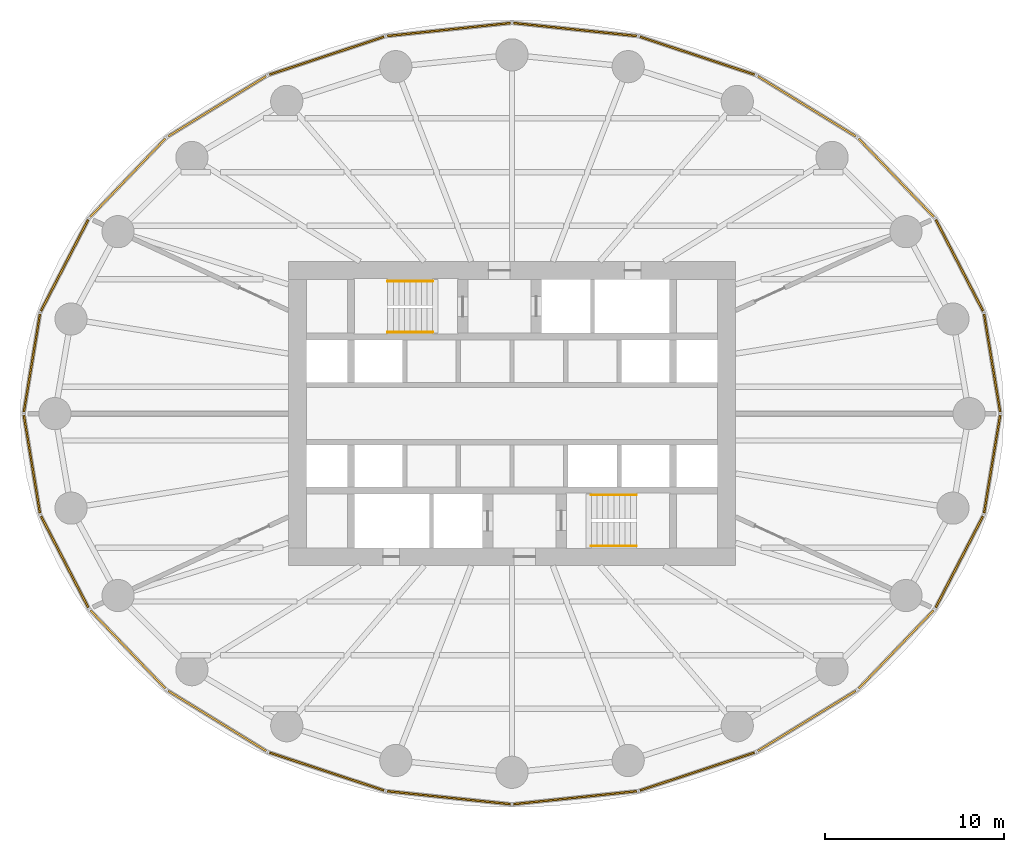
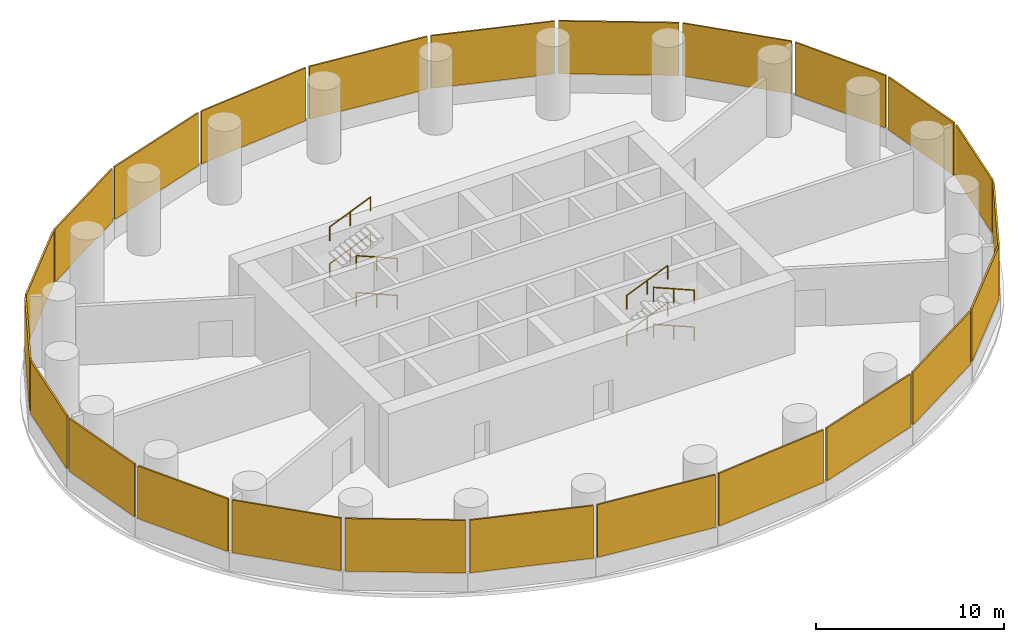
# One storey, part 5 of 5: 24 shading devices, 8 railings.
"""IFC4 building model written with IfcOpenShell, lengths in metres."""

import ifcopenshell
import ifcopenshell.guid

model = None  # the IFC model being written
_history = None  # IfcOwnerHistory: only IFC2X3 demands one
_inside = {}  # id of a spatial element -> (the spatial element, [elements in it])
_under = {}  # id of a project, library or spatial element -> (it, [spatial elements below it])
_declared = {}  # id of a project -> (the project, [libraries it declares])
_typed = {}  # id of a type object -> (the type object, [elements of that type])
_made_of = {}  # id of a material, layer set ... -> (it, [elements and type objects made of it])


def new_model(schema):
    """Start an empty IFC model of exactly this schema.

    Asked for "IFC4X3", IfcOpenShell would pick the latest addendum, in which some entities
    have other attributes; the version numbers below select the first issue.
    IFC2X3 requires an IfcOwnerHistory on every rooted entity: one is made here for all.
    """
    global model, _history
    if schema == "IFC4X3":
        model = ifcopenshell.file(schema_version=(4, 3, 0, 0))
    else:
        model = ifcopenshell.file(schema=schema)
    _inside.clear()
    _under.clear()
    _declared.clear()
    _typed.clear()
    _made_of.clear()
    _history = None
    if model.schema == "IFC2X3":
        org = make("IfcOrganization", Name="unknown")
        user = make(
            "IfcPersonAndOrganization",
            ThePerson=make("IfcPerson", FamilyName="unknown"),
            TheOrganization=org,
        )
        app = make(
            "IfcApplication",
            ApplicationDeveloper=org,
            Version="unknown",
            ApplicationFullName="unknown",
            ApplicationIdentifier="unknown",
        )
        _history = make(
            "IfcOwnerHistory",
            OwningUser=user,
            OwningApplication=app,
            ChangeAction="ADDED",
            CreationDate=0,
        )
    return model


def make(cls, **values):
    """One entity of the class cls with the attributes given. An attribute that is None is left unset."""
    return model.create_entity(
        cls, **{name: value for name, value in values.items() if value is not None}
    )


def rooted(cls, **values):
    """An entity with a GlobalId (a new one), such as an element, a storey or a relation."""
    return make(cls, GlobalId=ifcopenshell.guid.new(), OwnerHistory=_history, **values)


def si_unit(unit_type, name, prefix=None):
    """IfcSIUnit, for example si_unit("LENGTHUNIT", "METRE", prefix="MILLI")."""
    return make("IfcSIUnit", UnitType=unit_type, Prefix=prefix, Name=name)


def assignment(units):
    """IfcUnitAssignment: the units of a project."""
    return None if units is None else make("IfcUnitAssignment", Units=units)


def point(xyz):
    """IfcCartesianPoint."""
    return None if xyz is None else make("IfcCartesianPoint", Coordinates=xyz)


def direction(xyz):
    """IfcDirection."""
    return None if xyz is None else make("IfcDirection", DirectionRatios=xyz)


def frame(location, z_axis=None, x_axis=None):
    """IfcAxis2Placement3D, a coordinate frame: its origin and axes. An axis left out is left unset."""
    return make(
        "IfcAxis2Placement3D",
        Location=point(location),
        Axis=direction(z_axis),
        RefDirection=direction(x_axis),
    )


def frame_2d(location, x_axis=None):
    """IfcAxis2Placement2D, a coordinate frame in the plane: its origin and x axis."""
    return make(
        "IfcAxis2Placement2D", Location=point(location), RefDirection=direction(x_axis)
    )


def origin():
    """The frame at (0, 0, 0) with its axes left unset."""
    return frame((0.0, 0.0, 0.0))


def origin_2d():
    """The frame at (0, 0) in the plane with its x axis left unset."""
    return frame_2d((0.0, 0.0))


def place(relative_to, where):
    """IfcLocalPlacement: puts the frame where relative to a parent placement (None: the world)."""
    return make(
        "IfcLocalPlacement", PlacementRelTo=relative_to, RelativePlacement=where
    )


def context(
    kind, dimensions, precision=None, world=None, true_north=None, identifier=None
):
    """IfcGeometricRepresentationContext, for example the 3D "Model" context."""
    return make(
        "IfcGeometricRepresentationContext",
        ContextIdentifier=identifier,
        ContextType=kind,
        CoordinateSpaceDimension=dimensions,
        Precision=precision,
        WorldCoordinateSystem=world,
        TrueNorth=true_north,
    )


def subcontext(parent, identifier, kind, view, scale=None):
    """IfcGeometricRepresentationSubContext, for example "Body" below "Model"."""
    return make(
        "IfcGeometricRepresentationSubContext",
        ContextIdentifier=identifier,
        ContextType=kind,
        ParentContext=parent,
        TargetScale=scale,
        TargetView=view,
    )


def project(units=None, contexts=None):
    """IfcProject with its units and contexts."""
    return rooted(
        "IfcProject",
        Name="project",
        RepresentationContexts=contexts,
        UnitsInContext=assignment(units),
    )


def spatial(cls, under=None, at=None, **own):
    """A site, building, storey or space (cls), placed at a placement, below another one or the project."""
    s = rooted(cls, ObjectPlacement=at, **own)
    if under is not None:
        _under.setdefault(under.id(), (under, []))[1].append(s)
    return s


def profile(cls, at=None, kind="AREA", **sizes):
    """A parametric profile (cls). Its sizes go by their IFC names, for example OverallWidth=200.0."""
    return make(cls, ProfileType=kind, Position=at, **sizes)


def rectangle(**sizes):
    """IfcRectangleProfileDef."""
    return profile("IfcRectangleProfileDef", **sizes)


def circle(**sizes):
    """IfcCircleProfileDef."""
    return profile("IfcCircleProfileDef", **sizes)


def extrude(swept, where, along, depth):
    """IfcExtrudedAreaSolid: the profile swept, set in the frame where, extruded along a direction by depth."""
    return make(
        "IfcExtrudedAreaSolid",
        SweptArea=swept,
        Position=where,
        ExtrudedDirection=direction(along),
        Depth=depth,
    )


def shape(context_of_items, identifier, shape_type, items):
    """IfcShapeRepresentation: the items that make up one representation, for example the "Body"."""
    return make(
        "IfcShapeRepresentation",
        ContextOfItems=context_of_items,
        RepresentationIdentifier=identifier,
        RepresentationType=shape_type,
        Items=items,
    )


def material(Name=None, Category=None):
    """IfcMaterial."""
    return make("IfcMaterial", Name=Name, Category=Category)


def layer(
    of_material, thickness, ventilated=None, Name=None, Category=None, Priority=None
):
    """IfcMaterialLayer: one layer of a wall or slab, of a material (None: an air gap)."""
    return make(
        "IfcMaterialLayer",
        Material=of_material,
        LayerThickness=thickness,
        IsVentilated=ventilated,
        Name=Name,
        Category=Category,
        Priority=Priority,
    )


def layer_set(layers, Name=None):
    """IfcMaterialLayerSet."""
    return make("IfcMaterialLayerSet", MaterialLayers=layers, LayerSetName=Name)


def made_of(thing, what):
    """Note that an element or type object is made of a material, layer set ...; save() writes the relation."""
    if what is not None:
        _made_of.setdefault(what.id(), (what, []))[1].append(thing)
    return thing


def type_object(cls, material=None, **own):
    """A type object (cls), such as IfcWallType, which elements share."""
    return made_of(rooted(cls, **own), material)


def element(
    cls,
    number,
    at=None,
    inside=None,
    cuts=None,
    type_object=None,
    material=None,
    context=None,
    identifier="Body",
    shape_type=None,
    held_by="IfcProductDefinitionShape",
    body=None,
    shapes=None,
    **own,
):
    """One element of the class cls, such as IfcWall. Its Tag is "e" and its number.

    at: its placement. inside: the storey or other place that contains it. cuts: it is an
    opening in that element (IfcRelVoidsElement). A single representation is given by context,
    identifier, shape_type and body (its items); several are given by shapes. held_by: the class
    of the entity that holds the representations. save() writes the other relations.
    """
    e = rooted(cls, Tag="e%d" % number, ObjectPlacement=at, **own)
    if body is not None:
        shapes = [shape(context, identifier, shape_type, body)]
    if shapes is not None:
        e.Representation = make(held_by, Representations=shapes)
    if inside is not None:
        _inside.setdefault(inside.id(), (inside, []))[1].append(e)
    if cuts is not None:
        rooted(
            "IfcRelVoidsElement", RelatingBuildingElement=cuts, RelatedOpeningElement=e
        )
    if type_object is not None:
        _typed.setdefault(type_object.id(), (type_object, []))[1].append(e)
    return made_of(e, material)


def aggregate(whole, parts):
    """IfcRelAggregates: a whole, such as a stair, and the parts it consists of."""
    return rooted("IfcRelAggregates", RelatingObject=whole, RelatedObjects=parts)


def save(model, path):
    """Write the relations noted so far, then the file.

    IfcRelAggregates (storeys below a building ...), IfcRelContainedInSpatialStructure (elements
    in a storey), IfcRelDefinesByType, IfcRelAssociatesMaterial and IfcRelDeclares: one each for
    every whole, place, type object, material and project.
    """
    for whole, parts in _under.values():
        aggregate(whole, parts)
    for where, things in _inside.values():
        rooted(
            "IfcRelContainedInSpatialStructure",
            RelatedElements=things,
            RelatingStructure=where,
        )
    for kind, things in _typed.values():
        rooted("IfcRelDefinesByType", RelatedObjects=things, RelatingType=kind)
    for what, things in _made_of.values():
        rooted("IfcRelAssociatesMaterial", RelatedObjects=things, RelatingMaterial=what)
    for by, libraries in _declared.values():
        rooted("IfcRelDeclares", RelatingContext=by, RelatedDefinitions=libraries)
    model.write(path)


model = new_model("IFC4")

# Units and contexts
model_context = context("Model", 3, precision=1e-05, world=origin(), true_north=direction((0.0, 1.0)))
body_context = subcontext(model_context, "Body", "Model", "MODEL_VIEW")
ifc_project = project(units=[si_unit("LENGTHUNIT", "METRE"), si_unit("AREAUNIT", "SQUARE_METRE"), si_unit("VOLUMEUNIT", "CUBIC_METRE"), si_unit("PLANEANGLEUNIT", "RADIAN"), si_unit("MASSUNIT", "GRAM", prefix="KILO")], contexts=[model_context])

# Site, building, storey
site_placement = place(None, origin())
site = spatial("IfcSite", under=ifc_project, at=site_placement, CompositionType="ELEMENT")
building_placement = place(site_placement, origin())
building = spatial("IfcBuilding", under=site, at=building_placement, Name="Hankou Lantern Tower", CompositionType="ELEMENT")
storey_placement = place(building_placement, frame((0.0, 0.0, 45.89990234375)))
storey = spatial("IfcBuildingStorey", under=building, at=storey_placement, Name="L10", CompositionType="ELEMENT", Elevation=45.89990234375)

# Railings
ifc_material_1 = material(Name="Steel handrail", Category="steel")
railing_type = type_object("IfcRailingType", Name="HR1 STAIR HANDRAIL", PredefinedType="HANDRAIL", material=ifc_material_1)
railing_1_placement = place(storey_placement, frame((-4.429931640625, 4.550048828125, 0.900146484375)))
element("IfcRailing", 1, at=railing_1_placement, inside=storey, type_object=railing_type, Name="Handrail stair STA L10 flight 1", PredefinedType="HANDRAIL", context=body_context, shape_type="SweptSolid", body=[
    extrude(circle(Radius=0.02392578125, at=origin_2d()), frame((0.0, 0.0, 0.8759765625), z_axis=(-0.920903207994, 0.0, 0.389791330723), x_axis=(0.0, -1.0, 0.0)), (0.0, 0.0, 1.0), 2.736572265625),
    extrude(circle(Radius=0.02099609375, at=origin_2d()), origin(), (0.0, 0.0, 1.0), 0.851806640625),
    extrude(circle(Radius=0.02099609375, at=origin_2d()), frame((-1.260009765625, 0.0, 0.533203125)), (0.0, 0.0, 1.0), 0.851806640625),
    extrude(circle(Radius=0.02099609375, at=origin_2d()), frame((-2.52001953125, 0.0, 1.066650390625)), (0.0, 0.0, 1.0), 0.851806640625),
])
railing_2_placement = place(storey_placement, frame((-6.949951171875, 7.39990234375, 2.10009765625)))
element("IfcRailing", 2, at=railing_2_placement, inside=storey, type_object=railing_type, Name="Handrail stair STA L10 flight 2", PredefinedType="HANDRAIL", context=body_context, shape_type="SweptSolid", body=[
    extrude(circle(Radius=0.02392578125, at=origin_2d()), frame((0.0, 0.0, 0.8759765625), z_axis=(0.920903207994, 0.0, 0.389791330723), x_axis=(0.0, 1.0, 0.0)), (0.0, 0.0, 1.0), 2.736572265625),
    extrude(circle(Radius=0.02099609375, at=origin_2d()), origin(), (0.0, 0.0, 1.0), 0.851806640625),
    extrude(circle(Radius=0.02099609375, at=origin_2d()), frame((1.260009765625, 0.0, 0.533203125)), (0.0, 0.0, 1.0), 0.851806640625),
    extrude(circle(Radius=0.02099609375, at=origin_2d()), frame((2.52001953125, 0.0, 1.066650390625)), (0.0, 0.0, 1.0), 0.851806640625),
])
railing_3_placement = place(storey_placement, frame((-4.429931640625, 4.550048828125, 3.300048828125)))
element("IfcRailing", 3, at=railing_3_placement, inside=storey, type_object=railing_type, Name="Handrail stair STA L10 flight 3", PredefinedType="HANDRAIL", context=body_context, shape_type="SweptSolid", body=[
    extrude(circle(Radius=0.02392578125, at=origin_2d()), frame((0.0, 0.0, 0.8759765625), z_axis=(-0.920903207994, 0.0, 0.389791330723), x_axis=(0.0, -1.0, 0.0)), (0.0, 0.0, 1.0), 2.736572265625),
    extrude(circle(Radius=0.02099609375, at=origin_2d()), origin(), (0.0, 0.0, 1.0), 0.851806640625),
    extrude(circle(Radius=0.02099609375, at=origin_2d()), frame((-1.260009765625, 0.0, 0.533203125)), (0.0, 0.0, 1.0), 0.851806640625),
    extrude(circle(Radius=0.02099609375, at=origin_2d()), frame((-2.52001953125, 0.0, 1.066650390625)), (0.0, 0.0, 1.0), 0.851806640625),
])
for number, where, name in (
    (4, (-6.949951171875, 7.39990234375, 4.5), "Handrail stair STA L10 flight 4"),
    (5, (4.429931640625, -4.550048828125, 0.900146484375), "Handrail stair STB L10 flight 1"),
):
    element("IfcRailing", number, at=place(storey_placement, frame(where)), inside=storey, type_object=railing_type, Name=name, PredefinedType="HANDRAIL", context=body_context, shape_type="SweptSolid", body=[
        extrude(circle(Radius=0.02392578125, at=origin_2d()), frame((0.0, 0.0, 0.8759765625), z_axis=(0.920903207994, 0.0, 0.389791330723), x_axis=(0.0, 1.0, 0.0)), (0.0, 0.0, 1.0), 2.736572265625),
        extrude(circle(Radius=0.02099609375, at=origin_2d()), origin(), (0.0, 0.0, 1.0), 0.851806640625),
        extrude(circle(Radius=0.02099609375, at=origin_2d()), frame((1.260009765625, 0.0, 0.533203125)), (0.0, 0.0, 1.0), 0.851806640625),
        extrude(circle(Radius=0.02099609375, at=origin_2d()), frame((2.52001953125, 0.0, 1.066650390625)), (0.0, 0.0, 1.0), 0.851806640625),
    ])
railing_4_placement = place(storey_placement, frame((6.949951171875, -7.39990234375, 2.10009765625)))
element("IfcRailing", 6, at=railing_4_placement, inside=storey, type_object=railing_type, Name="Handrail stair STB L10 flight 2", PredefinedType="HANDRAIL", context=body_context, shape_type="SweptSolid", body=[
    extrude(circle(Radius=0.02392578125, at=origin_2d()), frame((0.0, 0.0, 0.8759765625), z_axis=(-0.920903207994, 0.0, 0.389791330723), x_axis=(0.0, -1.0, 0.0)), (0.0, 0.0, 1.0), 2.736572265625),
    extrude(circle(Radius=0.02099609375, at=origin_2d()), origin(), (0.0, 0.0, 1.0), 0.851806640625),
    extrude(circle(Radius=0.02099609375, at=origin_2d()), frame((-1.260009765625, 0.0, 0.533203125)), (0.0, 0.0, 1.0), 0.851806640625),
    extrude(circle(Radius=0.02099609375, at=origin_2d()), frame((-2.52001953125, 0.0, 1.066650390625)), (0.0, 0.0, 1.0), 0.851806640625),
])
railing_5_placement = place(storey_placement, frame((4.429931640625, -4.550048828125, 3.300048828125)))
element("IfcRailing", 7, at=railing_5_placement, inside=storey, type_object=railing_type, Name="Handrail stair STB L10 flight 3", PredefinedType="HANDRAIL", context=body_context, shape_type="SweptSolid", body=[
    extrude(circle(Radius=0.02392578125, at=origin_2d()), frame((0.0, 0.0, 0.8759765625), z_axis=(0.920903207994, 0.0, 0.389791330723), x_axis=(0.0, 1.0, 0.0)), (0.0, 0.0, 1.0), 2.736572265625),
    extrude(circle(Radius=0.02099609375, at=origin_2d()), origin(), (0.0, 0.0, 1.0), 0.851806640625),
    extrude(circle(Radius=0.02099609375, at=origin_2d()), frame((1.260009765625, 0.0, 0.533203125)), (0.0, 0.0, 1.0), 0.851806640625),
    extrude(circle(Radius=0.02099609375, at=origin_2d()), frame((2.52001953125, 0.0, 1.066650390625)), (0.0, 0.0, 1.0), 0.851806640625),
])
railing_6_placement = place(storey_placement, frame((6.949951171875, -7.39990234375, 4.5)))
element("IfcRailing", 8, at=railing_6_placement, inside=storey, type_object=railing_type, Name="Handrail stair STB L10 flight 4", PredefinedType="HANDRAIL", context=body_context, shape_type="SweptSolid", body=[
    extrude(circle(Radius=0.02392578125, at=origin_2d()), frame((0.0, 0.0, 0.8759765625), z_axis=(-0.920903207994, 0.0, 0.389791330723), x_axis=(0.0, -1.0, 0.0)), (0.0, 0.0, 1.0), 2.736572265625),
    extrude(circle(Radius=0.02099609375, at=origin_2d()), origin(), (0.0, 0.0, 1.0), 0.851806640625),
    extrude(circle(Radius=0.02099609375, at=origin_2d()), frame((-1.260009765625, 0.0, 0.533203125)), (0.0, 0.0, 1.0), 0.851806640625),
    extrude(circle(Radius=0.02099609375, at=origin_2d()), frame((-2.52001953125, 0.0, 1.066650390625)), (0.0, 0.0, 1.0), 0.851806640625),
])

# Shading devices
ifc_material_2 = material(Name="Aluminium, black anodised", Category="aluminium")
ifc_layer = layer(ifc_material_2, 0.10009765625)
ifc_layer_set = layer_set([ifc_layer], Name="Aluminium, black anodised")
shading_device_type = type_object("IfcShadingDeviceType", Name="LV1 LOUVRE PANEL", PredefinedType="USERDEFINED", material=ifc_layer_set)
shading_device_1_placement = place(storey_placement, frame((26.8349609375, 2.826416015625, 1.2001953125), z_axis=(0.0, 0.0, 1.0), x_axis=(-0.162381515188, 0.986728049427, 0.0)))
element("IfcShadingDevice", 9, at=shading_device_1_placement, inside=storey, type_object=shading_device_type, Name="Louvre R01 L10", ObjectType="LOUVRE", PredefinedType="USERDEFINED", context=body_context, shape_type="SweptSolid", body=[
    extrude(rectangle(XDim=5.5185546875, YDim=0.10009765625, at=origin_2d()), origin(), (0.0, 0.0, 1.0), 3.419921875),
])
shading_device_2_placement = place(storey_placement, frame((25.006103515625, 8.286376953125, 1.2001953125), z_axis=(0.0, 0.0, 1.0), x_axis=(-0.459791091957, 0.888027112062, 0.0)))
element("IfcShadingDevice", 10, at=shading_device_2_placement, inside=storey, type_object=shading_device_type, Name="Louvre R02 L10", ObjectType="LOUVRE", PredefinedType="USERDEFINED", context=body_context, shape_type="SweptSolid", body=[
    extrude(rectangle(XDim=5.7216796875, YDim=0.10009765625, at=origin_2d()), origin(), (0.0, 0.0, 1.0), 3.419921875),
])
shading_device_3_placement = place(storey_placement, frame((21.47314453125, 13.181640625, 1.2001953125), z_axis=(0.0, 0.0, 1.0), x_axis=(-0.692215809936, 0.721690565599, 0.0)))
element("IfcShadingDevice", 11, at=shading_device_3_placement, inside=storey, type_object=shading_device_type, Name="Louvre R03 L10", ObjectType="LOUVRE", PredefinedType="USERDEFINED", context=body_context, shape_type="SweptSolid", body=[
    extrude(rectangle(XDim=6.0576171875, YDim=0.10009765625, at=origin_2d()), origin(), (0.0, 0.0, 1.0), 3.419921875),
])
shading_device_4_placement = place(storey_placement, frame((16.47705078125, 17.1787109375, 1.2001953125), z_axis=(0.0, 0.0, 1.0), x_axis=(-0.852237151549, 0.523155653242, 0.0)))
element("IfcShadingDevice", 12, at=shading_device_4_placement, inside=storey, type_object=shading_device_type, Name="Louvre R04 L10", ObjectType="LOUVRE", PredefinedType="USERDEFINED", context=body_context, shape_type="SweptSolid", body=[
    extrude(rectangle(XDim=6.42431640625, YDim=0.10009765625, at=origin_2d()), origin(), (0.0, 0.0, 1.0), 3.419921875),
])
shading_device_5_placement = place(storey_placement, frame((10.35791015625, 20.0048828125, 1.2001953125), z_axis=(0.0, 0.0, 1.0), x_axis=(-0.949240677293, 0.31455068999, 0.0)))
element("IfcShadingDevice", 13, at=shading_device_5_placement, inside=storey, type_object=shading_device_type, Name="Louvre R05 L10", ObjectType="LOUVRE", PredefinedType="USERDEFINED", context=body_context, shape_type="SweptSolid", body=[
    extrude(rectangle(XDim=6.726318359375, YDim=0.10009765625, at=origin_2d()), origin(), (0.0, 0.0, 1.0), 3.419921875),
])
for number, where, z_axis, x_axis, name in (
    (14, (3.532958984375, 21.468017578125, 1.2001953125), (0.0, 0.0, 1.0), (-0.994499359107, 0.104742659579, 0.0), "Louvre R06 L10"),
    (15, (-3.532958984375, 21.468017578125, 1.2001953125), (0.0, 0.0, 1.0), (-0.994499359107, -0.104742659579, 0.0), "Louvre R07 L10"),
):
    element("IfcShadingDevice", number, at=place(storey_placement, frame(where, z_axis=z_axis, x_axis=x_axis)), inside=storey, type_object=shading_device_type, Name=name, ObjectType="LOUVRE", PredefinedType="USERDEFINED", context=body_context, shape_type="SweptSolid", body=[
        extrude(rectangle(XDim=6.894775390625, YDim=0.10009765625, at=origin_2d()), origin(), (0.0, 0.0, 1.0), 3.419921875),
    ])
shading_device_6_placement = place(storey_placement, frame((-10.35791015625, 20.0048828125, 1.2001953125), z_axis=(0.0, 0.0, 1.0), x_axis=(-0.949240677293, -0.31455068999, 0.0)))
element("IfcShadingDevice", 16, at=shading_device_6_placement, inside=storey, type_object=shading_device_type, Name="Louvre R08 L10", ObjectType="LOUVRE", PredefinedType="USERDEFINED", context=body_context, shape_type="SweptSolid", body=[
    extrude(rectangle(XDim=6.726318359375, YDim=0.10009765625, at=origin_2d()), origin(), (0.0, 0.0, 1.0), 3.419921875),
])
shading_device_7_placement = place(storey_placement, frame((-16.47705078125, 17.1787109375, 1.2001953125), z_axis=(0.0, 0.0, 1.0), x_axis=(-0.852237151549, -0.523155653242, 0.0)))
element("IfcShadingDevice", 17, at=shading_device_7_placement, inside=storey, type_object=shading_device_type, Name="Louvre R09 L10", ObjectType="LOUVRE", PredefinedType="USERDEFINED", context=body_context, shape_type="SweptSolid", body=[
    extrude(rectangle(XDim=6.42431640625, YDim=0.10009765625, at=origin_2d()), origin(), (0.0, 0.0, 1.0), 3.419921875),
])
shading_device_8_placement = place(storey_placement, frame((-21.47314453125, 13.181640625, 1.2001953125), z_axis=(0.0, 0.0, 1.0), x_axis=(-0.692215809936, -0.721690565599, 0.0)))
element("IfcShadingDevice", 18, at=shading_device_8_placement, inside=storey, type_object=shading_device_type, Name="Louvre R10 L10", ObjectType="LOUVRE", PredefinedType="USERDEFINED", context=body_context, shape_type="SweptSolid", body=[
    extrude(rectangle(XDim=6.0576171875, YDim=0.10009765625, at=origin_2d()), origin(), (0.0, 0.0, 1.0), 3.419921875),
])
shading_device_9_placement = place(storey_placement, frame((-25.006103515625, 8.286376953125, 1.2001953125), z_axis=(0.0, 0.0, 1.0), x_axis=(-0.459791091957, -0.888027112062, 0.0)))
element("IfcShadingDevice", 19, at=shading_device_9_placement, inside=storey, type_object=shading_device_type, Name="Louvre R11 L10", ObjectType="LOUVRE", PredefinedType="USERDEFINED", context=body_context, shape_type="SweptSolid", body=[
    extrude(rectangle(XDim=5.7216796875, YDim=0.10009765625, at=origin_2d()), origin(), (0.0, 0.0, 1.0), 3.419921875),
])
for number, where, z_axis, x_axis, name in (
    (20, (-26.8349609375, 2.826416015625, 1.2001953125), (0.0, 0.0, 1.0), (-0.162381515188, -0.986728049427, 0.0), "Louvre R12 L10"),
    (21, (-26.8349609375, -2.826416015625, 1.2001953125), (0.0, 0.0, 1.0), (0.162381515188, -0.986728049427, 0.0), "Louvre R13 L10"),
):
    element("IfcShadingDevice", number, at=place(storey_placement, frame(where, z_axis=z_axis, x_axis=x_axis)), inside=storey, type_object=shading_device_type, Name=name, ObjectType="LOUVRE", PredefinedType="USERDEFINED", context=body_context, shape_type="SweptSolid", body=[
        extrude(rectangle(XDim=5.5185546875, YDim=0.10009765625, at=origin_2d()), origin(), (0.0, 0.0, 1.0), 3.419921875),
    ])
shading_device_10_placement = place(storey_placement, frame((-25.006103515625, -8.286376953125, 1.2001953125), z_axis=(0.0, 0.0, 1.0), x_axis=(0.459791091957, -0.888027112062, 0.0)))
element("IfcShadingDevice", 22, at=shading_device_10_placement, inside=storey, type_object=shading_device_type, Name="Louvre R14 L10", ObjectType="LOUVRE", PredefinedType="USERDEFINED", context=body_context, shape_type="SweptSolid", body=[
    extrude(rectangle(XDim=5.7216796875, YDim=0.10009765625, at=origin_2d()), origin(), (0.0, 0.0, 1.0), 3.419921875),
])
shading_device_11_placement = place(storey_placement, frame((-21.47314453125, -13.181640625, 1.2001953125), z_axis=(0.0, 0.0, 1.0), x_axis=(0.692215809936, -0.721690565599, 0.0)))
element("IfcShadingDevice", 23, at=shading_device_11_placement, inside=storey, type_object=shading_device_type, Name="Louvre R15 L10", ObjectType="LOUVRE", PredefinedType="USERDEFINED", context=body_context, shape_type="SweptSolid", body=[
    extrude(rectangle(XDim=6.0576171875, YDim=0.10009765625, at=origin_2d()), origin(), (0.0, 0.0, 1.0), 3.419921875),
])
shading_device_12_placement = place(storey_placement, frame((-16.47705078125, -17.1787109375, 1.2001953125), z_axis=(0.0, 0.0, 1.0), x_axis=(0.852237151549, -0.523155653242, 0.0)))
element("IfcShadingDevice", 24, at=shading_device_12_placement, inside=storey, type_object=shading_device_type, Name="Louvre R16 L10", ObjectType="LOUVRE", PredefinedType="USERDEFINED", context=body_context, shape_type="SweptSolid", body=[
    extrude(rectangle(XDim=6.42431640625, YDim=0.10009765625, at=origin_2d()), origin(), (0.0, 0.0, 1.0), 3.419921875),
])
shading_device_13_placement = place(storey_placement, frame((-10.35791015625, -20.0048828125, 1.2001953125), z_axis=(0.0, 0.0, 1.0), x_axis=(0.949240677293, -0.31455068999, 0.0)))
element("IfcShadingDevice", 25, at=shading_device_13_placement, inside=storey, type_object=shading_device_type, Name="Louvre R17 L10", ObjectType="LOUVRE", PredefinedType="USERDEFINED", context=body_context, shape_type="SweptSolid", body=[
    extrude(rectangle(XDim=6.726318359375, YDim=0.10009765625, at=origin_2d()), origin(), (0.0, 0.0, 1.0), 3.419921875),
])
for number, where, z_axis, x_axis, name in (
    (26, (-3.532958984375, -21.468017578125, 1.2001953125), (0.0, 0.0, 1.0), (0.994499359107, -0.104742659579, 0.0), "Louvre R18 L10"),
    (27, (3.532958984375, -21.468017578125, 1.2001953125), (0.0, 0.0, 1.0), (0.994499359107, 0.104742659579, 0.0), "Louvre R19 L10"),
):
    element("IfcShadingDevice", number, at=place(storey_placement, frame(where, z_axis=z_axis, x_axis=x_axis)), inside=storey, type_object=shading_device_type, Name=name, ObjectType="LOUVRE", PredefinedType="USERDEFINED", context=body_context, shape_type="SweptSolid", body=[
        extrude(rectangle(XDim=6.894775390625, YDim=0.10009765625, at=origin_2d()), origin(), (0.0, 0.0, 1.0), 3.419921875),
    ])
shading_device_14_placement = place(storey_placement, frame((10.35791015625, -20.0048828125, 1.2001953125), z_axis=(0.0, 0.0, 1.0), x_axis=(0.949240677293, 0.31455068999, 0.0)))
element("IfcShadingDevice", 28, at=shading_device_14_placement, inside=storey, type_object=shading_device_type, Name="Louvre R20 L10", ObjectType="LOUVRE", PredefinedType="USERDEFINED", context=body_context, shape_type="SweptSolid", body=[
    extrude(rectangle(XDim=6.726318359375, YDim=0.10009765625, at=origin_2d()), origin(), (0.0, 0.0, 1.0), 3.419921875),
])
shading_device_15_placement = place(storey_placement, frame((16.47705078125, -17.1787109375, 1.2001953125), z_axis=(0.0, 0.0, 1.0), x_axis=(0.852237151549, 0.523155653242, 0.0)))
element("IfcShadingDevice", 29, at=shading_device_15_placement, inside=storey, type_object=shading_device_type, Name="Louvre R21 L10", ObjectType="LOUVRE", PredefinedType="USERDEFINED", context=body_context, shape_type="SweptSolid", body=[
    extrude(rectangle(XDim=6.42431640625, YDim=0.10009765625, at=origin_2d()), origin(), (0.0, 0.0, 1.0), 3.419921875),
])
shading_device_16_placement = place(storey_placement, frame((21.47314453125, -13.181640625, 1.2001953125), z_axis=(0.0, 0.0, 1.0), x_axis=(0.692215809936, 0.721690565599, 0.0)))
element("IfcShadingDevice", 30, at=shading_device_16_placement, inside=storey, type_object=shading_device_type, Name="Louvre R22 L10", ObjectType="LOUVRE", PredefinedType="USERDEFINED", context=body_context, shape_type="SweptSolid", body=[
    extrude(rectangle(XDim=6.0576171875, YDim=0.10009765625, at=origin_2d()), origin(), (0.0, 0.0, 1.0), 3.419921875),
])
shading_device_17_placement = place(storey_placement, frame((25.006103515625, -8.286376953125, 1.2001953125), z_axis=(0.0, 0.0, 1.0), x_axis=(0.459791091957, 0.888027112062, 0.0)))
element("IfcShadingDevice", 31, at=shading_device_17_placement, inside=storey, type_object=shading_device_type, Name="Louvre R23 L10", ObjectType="LOUVRE", PredefinedType="USERDEFINED", context=body_context, shape_type="SweptSolid", body=[
    extrude(rectangle(XDim=5.7216796875, YDim=0.10009765625, at=origin_2d()), origin(), (0.0, 0.0, 1.0), 3.419921875),
])
shading_device_18_placement = place(storey_placement, frame((26.8349609375, -2.826416015625, 1.2001953125), z_axis=(0.0, 0.0, 1.0), x_axis=(0.162381515188, 0.986728049427, 0.0)))
element("IfcShadingDevice", 32, at=shading_device_18_placement, inside=storey, type_object=shading_device_type, Name="Louvre R24 L10", ObjectType="LOUVRE", PredefinedType="USERDEFINED", context=body_context, shape_type="SweptSolid", body=[
    extrude(rectangle(XDim=5.5185546875, YDim=0.10009765625, at=origin_2d()), origin(), (0.0, 0.0, 1.0), 3.419921875),
])

save(model, "model.ifc")
